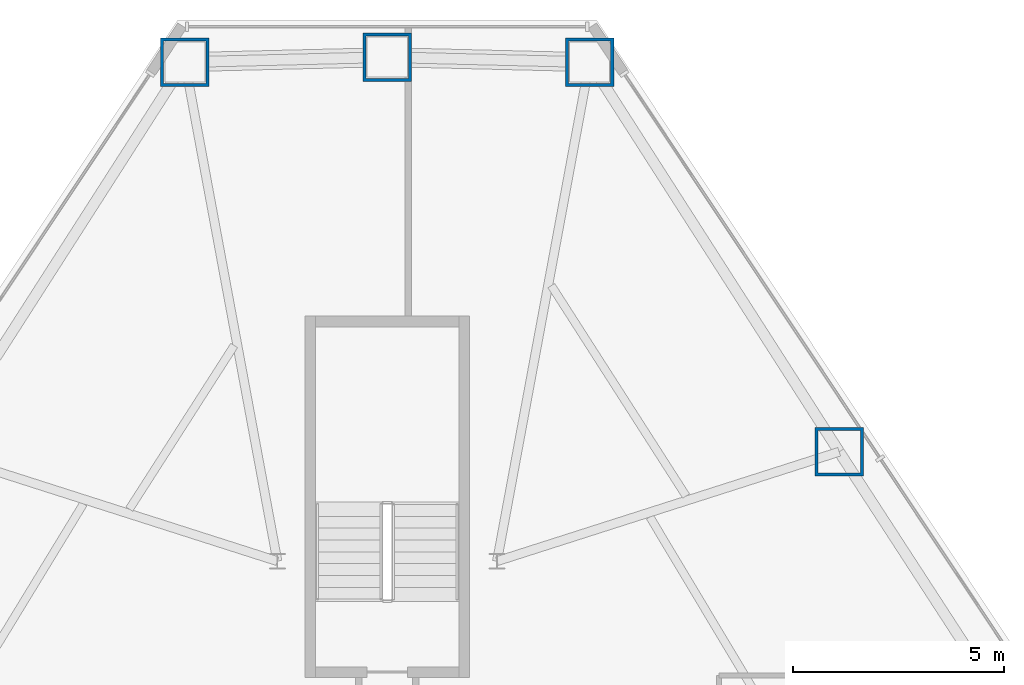
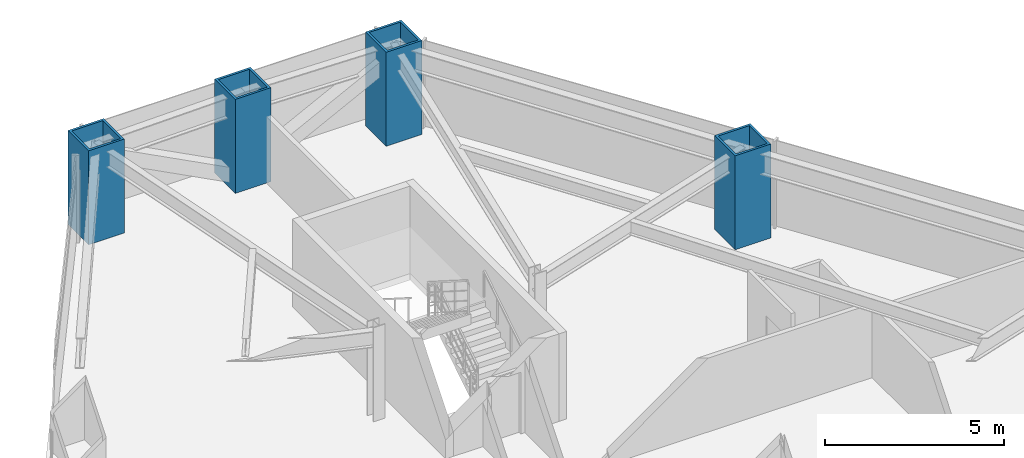
# One storey, part 3 of 12: 4 columns.
"""IFC4 building model written with IfcOpenShell, lengths in metres."""

from ifc_helpers import new_model, si_unit, direction, frame, origin, origin_2d, place, context, subcontext, project, spatial, hollow_rectangle, extrude, material, material_profile, profile_set, type_object, element, save


model = new_model("IFC4")

# Units and contexts
model_context = context("Model", 3, precision=1e-05, world=origin(), true_north=direction((0.0, 1.0)))
body_context = subcontext(model_context, "Body", "Model", "MODEL_VIEW")
ifc_project = project(units=[si_unit("LENGTHUNIT", "METRE"), si_unit("AREAUNIT", "SQUARE_METRE"), si_unit("VOLUMEUNIT", "CUBIC_METRE"), si_unit("PLANEANGLEUNIT", "RADIAN"), si_unit("MASSUNIT", "GRAM", prefix="KILO")], contexts=[model_context])

# Site, building, storey
site_placement = place(None, origin())
site = spatial("IfcSite", under=ifc_project, at=site_placement, CompositionType="ELEMENT")
building_placement = place(site_placement, origin())
building = spatial("IfcBuilding", under=site, at=building_placement, Name="Varakhsha Concourse Tower", CompositionType="ELEMENT")
storey_placement = place(building_placement, frame((0.0, 0.0, 62.39990234375)))
storey = spatial("IfcBuildingStorey", under=building, at=storey_placement, Name="L17", CompositionType="ELEMENT", Elevation=62.39990234375)

# Columns
ifc_material = material(Name="Structural Steel ASTM A572 Grade 50", Category="steel")
ifc_material_profile = material_profile(ifc_material, hollow_rectangle(XDim=1.14990234375, YDim=1.14990234375, WallThickness=0.074951171875, at=origin_2d()), Name="BOX 1150x1150x75")
ifc_profile_set = profile_set([ifc_material_profile], Name="Structural Steel ASTM A572 Grade 50")
column_type = type_object("IfcColumnType", Name="CL-TUBE-1150", PredefinedType="COLUMN", material=ifc_profile_set)
for number, where, z_axis, x_axis, name in (
    (1, (44.791015625, 53.015625, 0.0), (0.0, 0.0, 1.0), (1.0, 0.0, 0.0), "L17 Framed-Tube Column TC01"),
    (2, (40.0, 53.134033203125, 0.0), (0.0, 0.0, 1.0), (1.0, 0.0, 0.0), "L17 Framed-Tube Column TC02"),
    (3, (35.208984375, 53.015625, 0.0), (0.0, 0.0, 1.0), (1.0, 0.0, 0.0), "L17 Framed-Tube Column TC03"),
    (4, (50.701416015625, 43.7900390625, 0.0), (0.0, 0.0, 1.0), (1.0, 0.0, 0.0), "L17 Framed-Tube Column TC18"),
):
    element("IfcColumn", number, at=place(storey_placement, frame(where, z_axis=z_axis, x_axis=x_axis)), inside=storey, type_object=column_type, Name=name, PredefinedType="COLUMN", context=body_context, shape_type="SweptSolid", body=[
        extrude(hollow_rectangle(XDim=1.14990234375, YDim=1.14990234375, WallThickness=0.074951171875, at=origin_2d()), origin(), (0.0, 0.0, 1.0), 3.2001953125),
    ])

save(model, "model.ifc")
